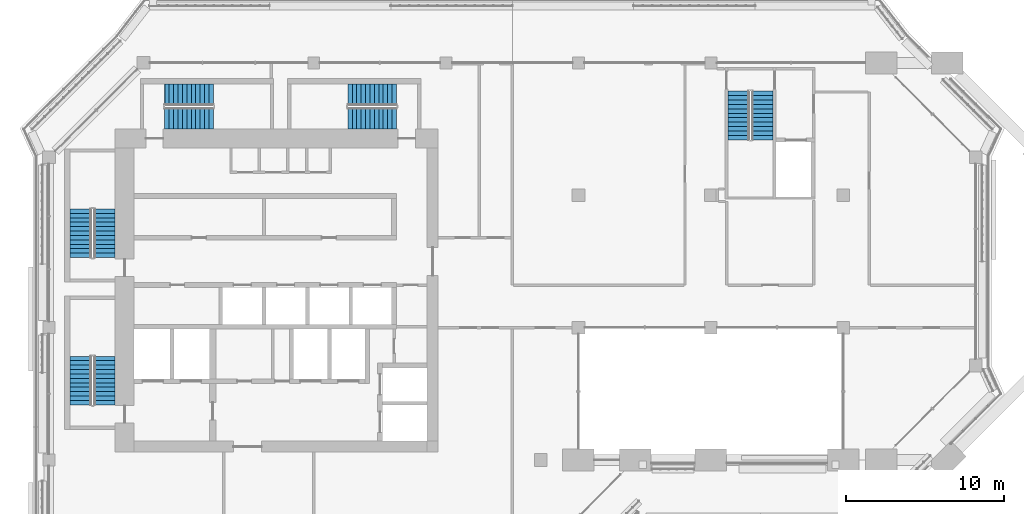
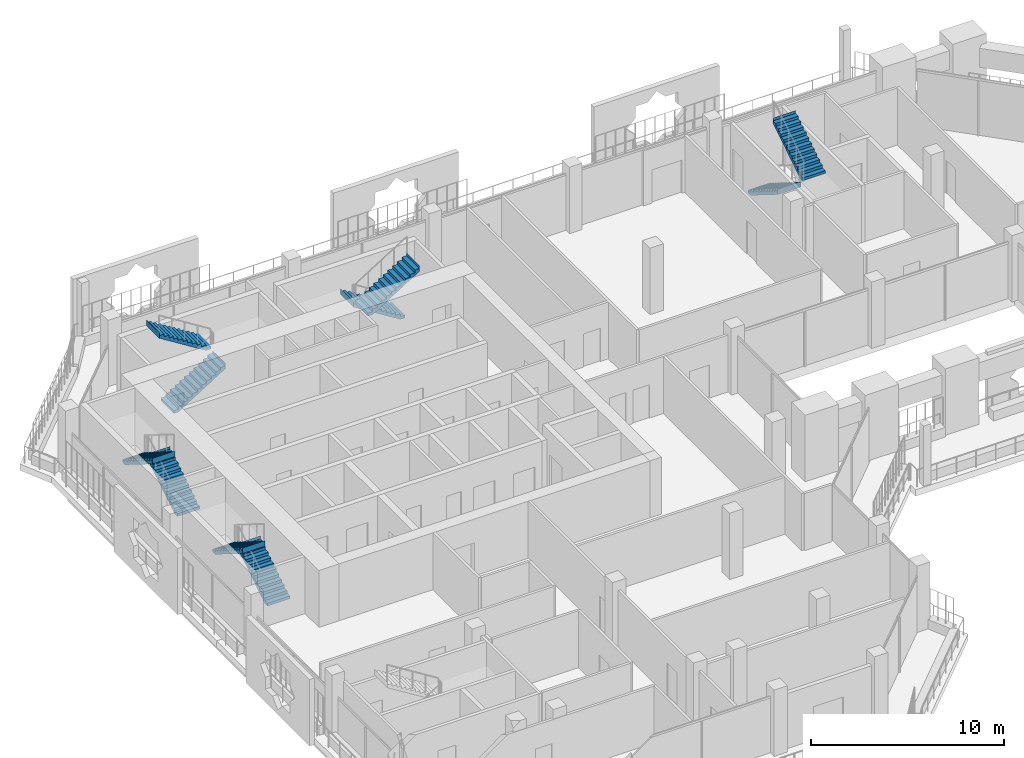
# One storey, part 13 of 22: 10 stair flights, 5 elements without a shape of their own.
"""IFC4 building model written with IfcOpenShell, lengths in metres."""

from ifc_helpers import new_model, si_unit, direction, frame, origin, place, context, subcontext, project, spatial, polyline, outline, extrude, material, type_object, element, aggregate, save


model = new_model("IFC4")

# Units and contexts
model_context = context("Model", 3, precision=1e-05, world=origin(), true_north=direction((0.0, 1.0)))
body_context = subcontext(model_context, "Body", "Model", "MODEL_VIEW")
ifc_project = project(units=[si_unit("LENGTHUNIT", "METRE"), si_unit("AREAUNIT", "SQUARE_METRE"), si_unit("VOLUMEUNIT", "CUBIC_METRE"), si_unit("PLANEANGLEUNIT", "RADIAN"), si_unit("MASSUNIT", "GRAM", prefix="KILO")], contexts=[model_context])

# Site, building, storey
site_placement = place(None, origin())
site = spatial("IfcSite", under=ifc_project, at=site_placement, CompositionType="ELEMENT")
building_placement = place(site_placement, origin())
building = spatial("IfcBuilding", under=site, at=building_placement, Name="Kawkab Arch Medical Tower", CompositionType="ELEMENT")
storey_placement = place(building_placement, frame((0.0, 0.0, 286.0)))
storey = spatial("IfcBuildingStorey", under=building, at=storey_placement, Name="L66", CompositionType="ELEMENT", Elevation=286.0)

# Stair, stair flights
ifc_material_1 = material(Name="Concrete C40/50", Category="concrete")
stair_type = type_object("IfcStairType", Name="Exit stair 1350", PredefinedType="HALF_TURN_STAIR", material=ifc_material_1)
placement = place(storey_placement, origin())
stair_1 = element("IfcStair", 1, at=placement, inside=storey, type_object=stair_type, Name="L66 Exit stair ST1", PredefinedType="HALF_TURN_STAIR")
ifc_material_2 = material(Name="Concrete C40/50", Category="concrete")
stair_flight_type = type_object("IfcStairFlightType", Name="Exit stair flight 1350", PredefinedType="STRAIGHT", material=ifc_material_2)
stair_flight_1_placement = place(storey_placement, frame((3.52490234375, -12.35009765625, 0.0), z_axis=(0.0, 0.0, 1.0), x_axis=(0.0, 1.0, 0.0)))
stair_flight_1 = element("IfcStairFlight", 2, at=stair_flight_1_placement, type_object=stair_flight_type, Name="ST1 flight 1", NumberOfRisers=12, NumberOfTreads=11, PredefinedType="STRAIGHT", RiserHeight=0.175, TreadLength=0.28, context=body_context, shape_type="SweptSolid", body=[
    extrude(outline(polyline([(-0.0029296875, 0.0), (-0.0029296875, 0.175048828125), (0.0, 0.175048828125), (0.280029296875, 0.175048828125), (0.280029296875, 0.35009765625), (0.56005859375, 0.35009765625), (0.56005859375, 0.52490234375), (0.840087890625, 0.52490234375), (0.840087890625, 0.699951171875), (1.1201171875, 0.699951171875), (1.1201171875, 0.875), (1.39990234375, 0.875), (1.39990234375, 1.050048828125), (1.679931640625, 1.050048828125), (1.679931640625, 1.22509765625), (1.9599609375, 1.22509765625), (1.9599609375, 1.39990234375), (2.239990234375, 1.39990234375), (2.239990234375, 1.574951171875), (2.52001953125, 1.574951171875), (2.52001953125, 1.75), (2.800048828125, 1.75), (2.800048828125, 1.925048828125), (3.080078125, 1.925048828125), (3.080078125, 2.10009765625), (3.0830078125, 2.10009765625), (3.0830078125, 1.748291015625), (3.080078125, 1.748291015625), (0.28271484375, 0.0), (-0.0029296875, 0.0)])), frame((0.0, 0.675048828125, 0.0), z_axis=(0.0, -1.0, 0.0), x_axis=(1.0, 0.0, 0.0)), (0.0, 0.0, 1.0), 1.35009765625),
])
stair_flight_2_placement = place(storey_placement, frame((2.02490234375, -9.27001953125, 2.10009765625), z_axis=(0.0, 0.0, 1.0), x_axis=(0.0, -1.0, 0.0)))
stair_flight_2 = element("IfcStairFlight", 3, at=stair_flight_2_placement, type_object=stair_flight_type, Name="ST1 flight 2", NumberOfRisers=12, NumberOfTreads=11, PredefinedType="STRAIGHT", RiserHeight=0.175, TreadLength=0.28, context=body_context, shape_type="SweptSolid", body=[
    extrude(outline(polyline([(-0.0029296875, 0.0), (-0.0029296875, 0.175048828125), (0.0, 0.175048828125), (0.280029296875, 0.175048828125), (0.280029296875, 0.35009765625), (0.56005859375, 0.35009765625), (0.56005859375, 0.52490234375), (0.840087890625, 0.52490234375), (0.840087890625, 0.699951171875), (1.1201171875, 0.699951171875), (1.1201171875, 0.875), (1.39990234375, 0.875), (1.39990234375, 1.050048828125), (1.679931640625, 1.050048828125), (1.679931640625, 1.22509765625), (1.9599609375, 1.22509765625), (1.9599609375, 1.39990234375), (2.239990234375, 1.39990234375), (2.239990234375, 1.574951171875), (2.52001953125, 1.574951171875), (2.52001953125, 1.75), (2.800048828125, 1.75), (2.800048828125, 1.925048828125), (3.080078125, 1.925048828125), (3.080078125, 2.10009765625), (3.0830078125, 2.10009765625), (3.0830078125, 1.748291015625), (3.080078125, 1.748291015625), (0.28271484375, 0.0), (-0.0029296875, 0.0)])), frame((0.0, 0.675048828125, 0.0), z_axis=(0.0, -1.0, 0.0), x_axis=(1.0, 0.0, 0.0)), (0.0, 0.0, 1.0), 1.35009765625),
])
aggregate(stair_1, [stair_flight_1, stair_flight_2])

stair_2 = element("IfcStair", 4, at=placement, inside=storey, type_object=stair_type, Name="L66 Exit stair ST2", PredefinedType="HALF_TURN_STAIR")
stair_flight_3_placement = place(storey_placement, frame((3.52490234375, -21.699951171875, 0.0), z_axis=(0.0, 0.0, 1.0), x_axis=(0.0, 1.0, 0.0)))
stair_flight_3 = element("IfcStairFlight", 5, at=stair_flight_3_placement, type_object=stair_flight_type, Name="ST2 flight 1", NumberOfRisers=12, NumberOfTreads=11, PredefinedType="STRAIGHT", RiserHeight=0.175, TreadLength=0.28, context=body_context, shape_type="SweptSolid", body=[
    extrude(outline(polyline([(-0.0029296875, 0.0), (-0.0029296875, 0.175048828125), (0.0, 0.175048828125), (0.280029296875, 0.175048828125), (0.280029296875, 0.35009765625), (0.56005859375, 0.35009765625), (0.56005859375, 0.52490234375), (0.840087890625, 0.52490234375), (0.840087890625, 0.699951171875), (1.1201171875, 0.699951171875), (1.1201171875, 0.875), (1.39990234375, 0.875), (1.39990234375, 1.050048828125), (1.679931640625, 1.050048828125), (1.679931640625, 1.22509765625), (1.9599609375, 1.22509765625), (1.9599609375, 1.39990234375), (2.239990234375, 1.39990234375), (2.239990234375, 1.574951171875), (2.52001953125, 1.574951171875), (2.52001953125, 1.75), (2.800048828125, 1.75), (2.800048828125, 1.925048828125), (3.080078125, 1.925048828125), (3.080078125, 2.10009765625), (3.0830078125, 2.10009765625), (3.0830078125, 1.748291015625), (3.080078125, 1.748291015625), (0.28271484375, 0.0), (-0.0029296875, 0.0)])), frame((0.0, 0.675048828125, 0.0), z_axis=(0.0, -1.0, 0.0), x_axis=(1.0, 0.0, 0.0)), (0.0, 0.0, 1.0), 1.35009765625),
])
stair_flight_4_placement = place(storey_placement, frame((2.02490234375, -18.6201171875, 2.10009765625), z_axis=(0.0, 0.0, 1.0), x_axis=(0.0, -1.0, 0.0)))
stair_flight_4 = element("IfcStairFlight", 6, at=stair_flight_4_placement, type_object=stair_flight_type, Name="ST2 flight 2", NumberOfRisers=12, NumberOfTreads=11, PredefinedType="STRAIGHT", RiserHeight=0.175, TreadLength=0.28, context=body_context, shape_type="SweptSolid", body=[
    extrude(outline(polyline([(-0.0029296875, 0.0), (-0.0029296875, 0.175048828125), (0.0, 0.175048828125), (0.280029296875, 0.175048828125), (0.280029296875, 0.35009765625), (0.56005859375, 0.35009765625), (0.56005859375, 0.52490234375), (0.840087890625, 0.52490234375), (0.840087890625, 0.699951171875), (1.1201171875, 0.699951171875), (1.1201171875, 0.875), (1.39990234375, 0.875), (1.39990234375, 1.050048828125), (1.679931640625, 1.050048828125), (1.679931640625, 1.22509765625), (1.9599609375, 1.22509765625), (1.9599609375, 1.39990234375), (2.239990234375, 1.39990234375), (2.239990234375, 1.574951171875), (2.52001953125, 1.574951171875), (2.52001953125, 1.75), (2.800048828125, 1.75), (2.800048828125, 1.925048828125), (3.080078125, 1.925048828125), (3.080078125, 2.10009765625), (3.0830078125, 2.10009765625), (3.0830078125, 1.748291015625), (3.080078125, 1.748291015625), (0.28271484375, 0.0), (-0.0029296875, 0.0)])), frame((0.0, 0.675048828125, 0.0), z_axis=(0.0, -1.0, 0.0), x_axis=(1.0, 0.0, 0.0)), (0.0, 0.0, 1.0), 1.35009765625),
])
aggregate(stair_2, [stair_flight_3, stair_flight_4])

stair_3 = element("IfcStair", 7, at=placement, inside=storey, type_object=stair_type, Name="L66 Exit stair ST3", PredefinedType="HALF_TURN_STAIR")
stair_flight_5_placement = place(storey_placement, frame((7.35009765625, -3.52490234375, 0.0), z_axis=(0.0, 0.0, 1.0), x_axis=(1.0, 0.0, 0.0)))
stair_flight_5 = element("IfcStairFlight", 8, at=stair_flight_5_placement, type_object=stair_flight_type, Name="ST3 flight 1", NumberOfRisers=12, NumberOfTreads=11, PredefinedType="STRAIGHT", RiserHeight=0.175, TreadLength=0.28, context=body_context, shape_type="SweptSolid", body=[
    extrude(outline(polyline([(-0.0029296875, 0.0), (-0.0029296875, 0.175048828125), (0.0, 0.175048828125), (0.280029296875, 0.175048828125), (0.280029296875, 0.35009765625), (0.56005859375, 0.35009765625), (0.56005859375, 0.52490234375), (0.840087890625, 0.52490234375), (0.840087890625, 0.699951171875), (1.1201171875, 0.699951171875), (1.1201171875, 0.875), (1.39990234375, 0.875), (1.39990234375, 1.050048828125), (1.679931640625, 1.050048828125), (1.679931640625, 1.22509765625), (1.9599609375, 1.22509765625), (1.9599609375, 1.39990234375), (2.239990234375, 1.39990234375), (2.239990234375, 1.574951171875), (2.52001953125, 1.574951171875), (2.52001953125, 1.75), (2.800048828125, 1.75), (2.800048828125, 1.925048828125), (3.080078125, 1.925048828125), (3.080078125, 2.10009765625), (3.0830078125, 2.10009765625), (3.0830078125, 1.748291015625), (3.080078125, 1.748291015625), (0.28271484375, 0.0), (-0.0029296875, 0.0)])), frame((0.0, 0.675048828125, 0.0), z_axis=(0.0, -1.0, 0.0), x_axis=(1.0, 0.0, 0.0)), (0.0, 0.0, 1.0), 1.35009765625),
])
stair_flight_6_placement = place(storey_placement, frame((10.429931640625, -2.02490234375, 2.10009765625), z_axis=(0.0, 0.0, 1.0), x_axis=(-1.0, 0.0, 0.0)))
stair_flight_6 = element("IfcStairFlight", 9, at=stair_flight_6_placement, type_object=stair_flight_type, Name="ST3 flight 2", NumberOfRisers=12, NumberOfTreads=11, PredefinedType="STRAIGHT", RiserHeight=0.175, TreadLength=0.28, context=body_context, shape_type="SweptSolid", body=[
    extrude(outline(polyline([(-0.0029296875, 0.0), (-0.0029296875, 0.175048828125), (0.0, 0.175048828125), (0.280029296875, 0.175048828125), (0.280029296875, 0.35009765625), (0.56005859375, 0.35009765625), (0.56005859375, 0.52490234375), (0.840087890625, 0.52490234375), (0.840087890625, 0.699951171875), (1.1201171875, 0.699951171875), (1.1201171875, 0.875), (1.39990234375, 0.875), (1.39990234375, 1.050048828125), (1.679931640625, 1.050048828125), (1.679931640625, 1.22509765625), (1.9599609375, 1.22509765625), (1.9599609375, 1.39990234375), (2.239990234375, 1.39990234375), (2.239990234375, 1.574951171875), (2.52001953125, 1.574951171875), (2.52001953125, 1.75), (2.800048828125, 1.75), (2.800048828125, 1.925048828125), (3.080078125, 1.925048828125), (3.080078125, 2.10009765625), (3.0830078125, 2.10009765625), (3.0830078125, 1.748291015625), (3.080078125, 1.748291015625), (0.28271484375, 0.0), (-0.0029296875, 0.0)])), frame((0.0, 0.675048828125, 0.0), z_axis=(0.0, -1.0, 0.0), x_axis=(1.0, 0.0, 0.0)), (0.0, 0.0, 1.0), 1.35009765625),
])
aggregate(stair_3, [stair_flight_5, stair_flight_6])

stair_4 = element("IfcStair", 10, at=placement, inside=storey, type_object=stair_type, Name="L66 Exit stair ST4", PredefinedType="HALF_TURN_STAIR")
stair_flight_7_placement = place(storey_placement, frame((22.050048828125, -2.02490234375, 0.0), z_axis=(0.0, 0.0, 1.0), x_axis=(-1.0, 0.0, 0.0)))
stair_flight_7 = element("IfcStairFlight", 11, at=stair_flight_7_placement, type_object=stair_flight_type, Name="ST4 flight 1", NumberOfRisers=12, NumberOfTreads=11, PredefinedType="STRAIGHT", RiserHeight=0.175, TreadLength=0.28, context=body_context, shape_type="SweptSolid", body=[
    extrude(outline(polyline([(-0.0029296875, 0.0), (-0.0029296875, 0.175048828125), (0.0, 0.175048828125), (0.280029296875, 0.175048828125), (0.280029296875, 0.35009765625), (0.56005859375, 0.35009765625), (0.56005859375, 0.52490234375), (0.840087890625, 0.52490234375), (0.840087890625, 0.699951171875), (1.1201171875, 0.699951171875), (1.1201171875, 0.875), (1.39990234375, 0.875), (1.39990234375, 1.050048828125), (1.679931640625, 1.050048828125), (1.679931640625, 1.22509765625), (1.9599609375, 1.22509765625), (1.9599609375, 1.39990234375), (2.239990234375, 1.39990234375), (2.239990234375, 1.574951171875), (2.52001953125, 1.574951171875), (2.52001953125, 1.75), (2.800048828125, 1.75), (2.800048828125, 1.925048828125), (3.080078125, 1.925048828125), (3.080078125, 2.10009765625), (3.0830078125, 2.10009765625), (3.0830078125, 1.748291015625), (3.080078125, 1.748291015625), (0.28271484375, 0.0), (-0.0029296875, 0.0)])), frame((0.0, 0.675048828125, 0.0), z_axis=(0.0, -1.0, 0.0), x_axis=(1.0, 0.0, 0.0)), (0.0, 0.0, 1.0), 1.35009765625),
])
stair_flight_8_placement = place(storey_placement, frame((18.969970703125, -3.52490234375, 2.10009765625), z_axis=(0.0, 0.0, 1.0), x_axis=(1.0, 0.0, 0.0)))
stair_flight_8 = element("IfcStairFlight", 12, at=stair_flight_8_placement, type_object=stair_flight_type, Name="ST4 flight 2", NumberOfRisers=12, NumberOfTreads=11, PredefinedType="STRAIGHT", RiserHeight=0.175, TreadLength=0.28, context=body_context, shape_type="SweptSolid", body=[
    extrude(outline(polyline([(-0.0029296875, 0.0), (-0.0029296875, 0.175048828125), (0.0, 0.175048828125), (0.280029296875, 0.175048828125), (0.280029296875, 0.35009765625), (0.56005859375, 0.35009765625), (0.56005859375, 0.52490234375), (0.840087890625, 0.52490234375), (0.840087890625, 0.699951171875), (1.1201171875, 0.699951171875), (1.1201171875, 0.875), (1.39990234375, 0.875), (1.39990234375, 1.050048828125), (1.679931640625, 1.050048828125), (1.679931640625, 1.22509765625), (1.9599609375, 1.22509765625), (1.9599609375, 1.39990234375), (2.239990234375, 1.39990234375), (2.239990234375, 1.574951171875), (2.52001953125, 1.574951171875), (2.52001953125, 1.75), (2.800048828125, 1.75), (2.800048828125, 1.925048828125), (3.080078125, 1.925048828125), (3.080078125, 2.10009765625), (3.0830078125, 2.10009765625), (3.0830078125, 1.748291015625), (3.080078125, 1.748291015625), (0.28271484375, 0.0), (-0.0029296875, 0.0)])), frame((0.0, 0.675048828125, 0.0), z_axis=(0.0, -1.0, 0.0), x_axis=(1.0, 0.0, 0.0)), (0.0, 0.0, 1.0), 1.35009765625),
])
aggregate(stair_4, [stair_flight_7, stair_flight_8])

stair_5 = element("IfcStair", 13, at=placement, inside=storey, type_object=stair_type, Name="L66 Exit stair ST5", PredefinedType="HALF_TURN_STAIR")
stair_flight_9_placement = place(storey_placement, frame((43.77490234375, -1.800048828125, 0.0), z_axis=(0.0, 0.0, 1.0), x_axis=(0.0, -1.0, 0.0)))
stair_flight_9 = element("IfcStairFlight", 14, at=stair_flight_9_placement, type_object=stair_flight_type, Name="ST5 flight 1", NumberOfRisers=12, NumberOfTreads=11, PredefinedType="STRAIGHT", RiserHeight=0.175, TreadLength=0.28, context=body_context, shape_type="SweptSolid", body=[
    extrude(outline(polyline([(-0.0029296875, 0.0), (-0.0029296875, 0.175048828125), (0.0, 0.175048828125), (0.280029296875, 0.175048828125), (0.280029296875, 0.35009765625), (0.56005859375, 0.35009765625), (0.56005859375, 0.52490234375), (0.840087890625, 0.52490234375), (0.840087890625, 0.699951171875), (1.1201171875, 0.699951171875), (1.1201171875, 0.875), (1.39990234375, 0.875), (1.39990234375, 1.050048828125), (1.679931640625, 1.050048828125), (1.679931640625, 1.22509765625), (1.9599609375, 1.22509765625), (1.9599609375, 1.39990234375), (2.239990234375, 1.39990234375), (2.239990234375, 1.574951171875), (2.52001953125, 1.574951171875), (2.52001953125, 1.75), (2.800048828125, 1.75), (2.800048828125, 1.925048828125), (3.080078125, 1.925048828125), (3.080078125, 2.10009765625), (3.0830078125, 2.10009765625), (3.0830078125, 1.748291015625), (3.080078125, 1.748291015625), (0.28271484375, 0.0), (-0.0029296875, 0.0)])), frame((0.0, 0.675048828125, 0.0), z_axis=(0.0, -1.0, 0.0), x_axis=(1.0, 0.0, 0.0)), (0.0, 0.0, 1.0), 1.35009765625),
])
stair_flight_10_placement = place(storey_placement, frame((45.27490234375, -4.8798828125, 2.10009765625), z_axis=(0.0, 0.0, 1.0), x_axis=(0.0, 1.0, 0.0)))
stair_flight_10 = element("IfcStairFlight", 15, at=stair_flight_10_placement, type_object=stair_flight_type, Name="ST5 flight 2", NumberOfRisers=12, NumberOfTreads=11, PredefinedType="STRAIGHT", RiserHeight=0.175, TreadLength=0.28, context=body_context, shape_type="SweptSolid", body=[
    extrude(outline(polyline([(-0.0029296875, 0.0), (-0.0029296875, 0.175048828125), (0.0, 0.175048828125), (0.280029296875, 0.175048828125), (0.280029296875, 0.35009765625), (0.56005859375, 0.35009765625), (0.56005859375, 0.52490234375), (0.840087890625, 0.52490234375), (0.840087890625, 0.699951171875), (1.1201171875, 0.699951171875), (1.1201171875, 0.875), (1.39990234375, 0.875), (1.39990234375, 1.050048828125), (1.679931640625, 1.050048828125), (1.679931640625, 1.22509765625), (1.9599609375, 1.22509765625), (1.9599609375, 1.39990234375), (2.239990234375, 1.39990234375), (2.239990234375, 1.574951171875), (2.52001953125, 1.574951171875), (2.52001953125, 1.75), (2.800048828125, 1.75), (2.800048828125, 1.925048828125), (3.080078125, 1.925048828125), (3.080078125, 2.10009765625), (3.0830078125, 2.10009765625), (3.0830078125, 1.748291015625), (3.080078125, 1.748291015625), (0.28271484375, 0.0), (-0.0029296875, 0.0)])), frame((0.0, 0.675048828125, 0.0), z_axis=(0.0, -1.0, 0.0), x_axis=(1.0, 0.0, 0.0)), (0.0, 0.0, 1.0), 1.35009765625),
])
aggregate(stair_5, [stair_flight_9, stair_flight_10])

save(model, "model.ifc")
